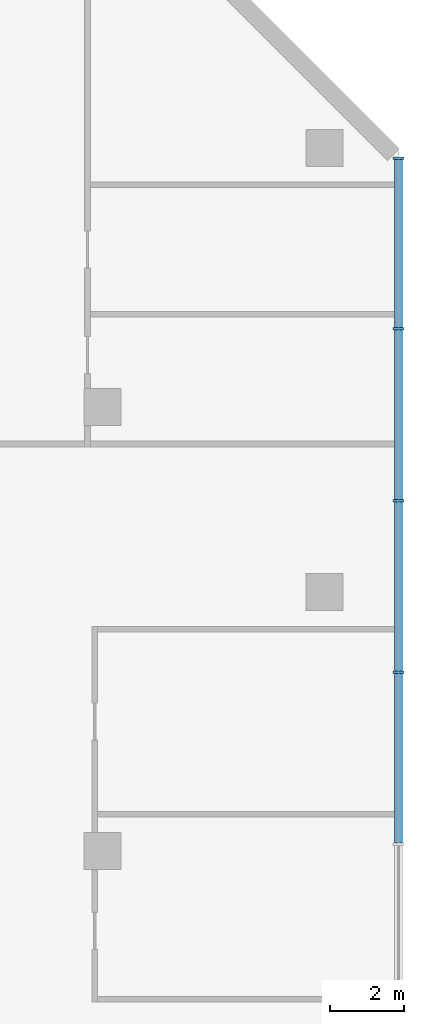
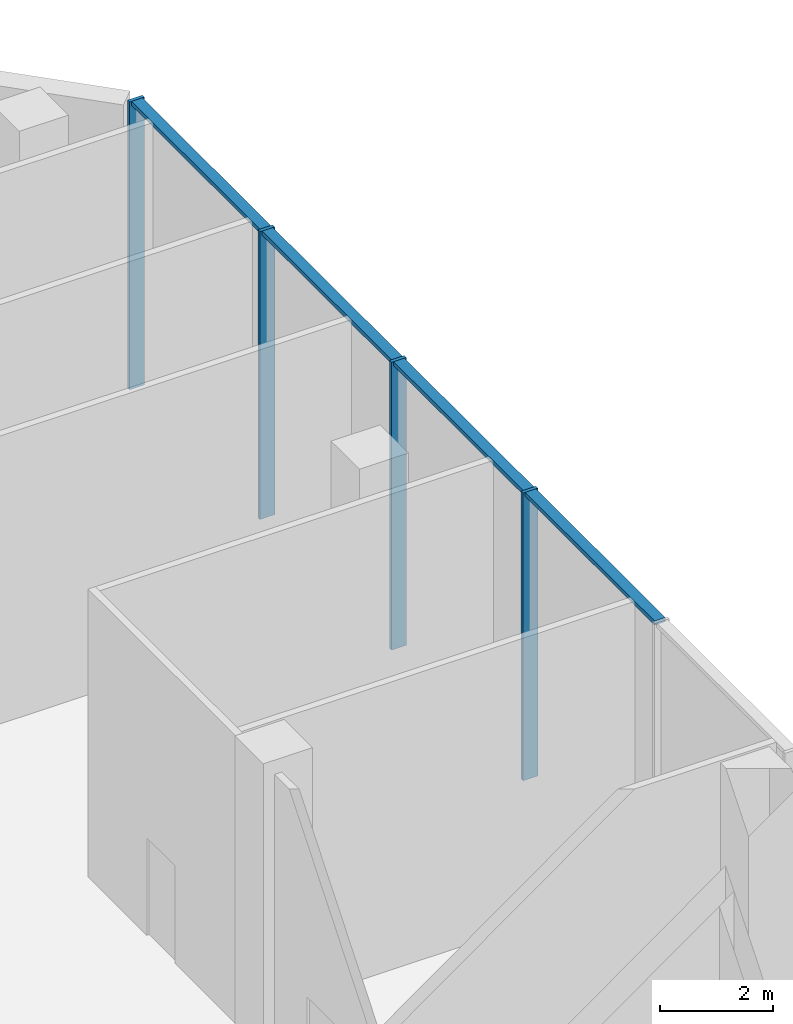
# One storey, part 7 of 30: 8 members, 1 element without a shape of its own.
"""IFC4 building model written with IfcOpenShell, lengths in metres."""

from ifc_helpers import new_model, si_unit, direction, frame, origin, origin_2d, place, context, subcontext, project, spatial, rectangle, extrude, material, material_profile, profile_set, type_object, element, aggregate, save


model = new_model("IFC4")

# Units and contexts
model_context = context("Model", 3, precision=1e-05, world=origin(), true_north=direction((0.0, 1.0)))
body_context = subcontext(model_context, "Body", "Model", "MODEL_VIEW")
ifc_project = project(units=[si_unit("LENGTHUNIT", "METRE"), si_unit("AREAUNIT", "SQUARE_METRE"), si_unit("VOLUMEUNIT", "CUBIC_METRE"), si_unit("PLANEANGLEUNIT", "RADIAN"), si_unit("MASSUNIT", "GRAM", prefix="KILO")], contexts=[model_context])

# Site, building, storey
site_placement = place(None, origin())
site = spatial("IfcSite", under=ifc_project, at=site_placement, CompositionType="ELEMENT")
building_placement = place(site_placement, origin())
building = spatial("IfcBuilding", under=site, at=building_placement, Name="Wharfspan Tower", CompositionType="ELEMENT")
storey_placement = place(building_placement, frame((0.0, 0.0, 15.0)))
storey = spatial("IfcBuildingStorey", under=building, at=storey_placement, Name="L02", CompositionType="ELEMENT", Elevation=15.0)

# Curtain wall, members
ifc_material = material(Name="Aluminium 6063-T6", Category="aluminium")
curtain_wall_type = type_object("IfcCurtainWallType", Name="CURTAIN WALL ARENA STICK WALL", PredefinedType="NOTDEFINED", material=ifc_material)
curtain_wall_placement = place(storey_placement, origin())
curtain_wall = element("IfcCurtainWall", 1, at=curtain_wall_placement, inside=storey, type_object=curtain_wall_type, Name="Concourse stick wall PF3.3", PredefinedType="NOTDEFINED")
ifc_material_profile_1 = material_profile(ifc_material, rectangle(XDim=0.300049, YDim=0.070068, at=origin_2d()))
ifc_profile_set_1 = profile_set([ifc_material_profile_1], Name="Aluminium 6063-T6")
member_type_1 = type_object("IfcMemberType", Name="MULLION ARENA STICK WALL 70x300", PredefinedType="MULLION", material=ifc_profile_set_1)
member_1_placement = place(storey_placement, frame((108.0, 35.830078, 0.0), z_axis=(0.0, 0.0, 1.0), x_axis=(-1.0, 0.0, 0.0)))
member_1 = element("IfcMember", 2, at=member_1_placement, type_object=member_type_1, Name="Concourse stick wall PF3.3 mullion 3", PredefinedType="MULLION", context=body_context, shape_type="SweptSolid", body=[
    extrude(rectangle(XDim=0.300049, YDim=0.070068, at=origin_2d()), origin(), (0.0, 0.0, 1.0), 6.199951),
])
member_2_placement = place(storey_placement, frame((108.0, 40.469971, 0.0), z_axis=(0.0, 0.0, 1.0), x_axis=(-1.0, 0.0, 0.0)))
member_2 = element("IfcMember", 3, at=member_2_placement, type_object=member_type_1, Name="Concourse stick wall PF3.3 mullion 4", PredefinedType="MULLION", context=body_context, shape_type="SweptSolid", body=[
    extrude(rectangle(XDim=0.300049, YDim=0.070068, at=origin_2d()), origin(), (0.0, 0.0, 1.0), 6.199951),
])
member_3_placement = place(storey_placement, frame((108.0, 45.110107, 0.0), z_axis=(0.0, 0.0, 1.0), x_axis=(-1.0, 0.0, 0.0)))
member_3 = element("IfcMember", 4, at=member_3_placement, type_object=member_type_1, Name="Concourse stick wall PF3.3 mullion 5", PredefinedType="MULLION", context=body_context, shape_type="SweptSolid", body=[
    extrude(rectangle(XDim=0.300049, YDim=0.070068, at=origin_2d()), origin(), (0.0, 0.0, 1.0), 6.199951),
])
member_4_placement = place(storey_placement, frame((108.0, 49.715088, 0.0), z_axis=(0.0, 0.0, 1.0), x_axis=(-1.0, 0.0, 0.0)))
member_4 = element("IfcMember", 5, at=member_4_placement, type_object=member_type_1, Name="Concourse stick wall PF3.3 mullion 6", PredefinedType="MULLION", context=body_context, shape_type="SweptSolid", body=[
    extrude(rectangle(XDim=0.300049, YDim=0.070068, at=origin_2d()), origin(), (0.0, 0.0, 1.0), 6.199951),
])
ifc_material_profile_2 = material_profile(ifc_material, rectangle(XDim=0.219971, YDim=0.090088, at=origin_2d()))
ifc_profile_set_2 = profile_set([ifc_material_profile_2], Name="Aluminium 6063-T6")
member_type_2 = type_object("IfcMemberType", Name="TRANSOM ARENA STICK WALL 90x220", PredefinedType="USERDEFINED", material=ifc_profile_set_2)
member_5_placement = place(storey_placement, frame((108.0, 31.225098, 6.155029), z_axis=(0.0, 1.0, 0.0), x_axis=(-1.0, 0.0, 0.0)))
member_5 = element("IfcMember", 6, at=member_5_placement, type_object=member_type_2, Name="Concourse stick wall PF3.3 transom 2", ObjectType="TRANSOM", PredefinedType="USERDEFINED", context=body_context, shape_type="SweptSolid", body=[
    extrude(rectangle(XDim=0.219971, YDim=0.090088, at=origin_2d()), origin(), (0.0, 0.0, 1.0), 4.569824),
])
member_6_placement = place(storey_placement, frame((108.0, 35.86499, 6.155029), z_axis=(0.0, 1.0, 0.0), x_axis=(-1.0, 0.0, 0.0)))
member_6 = element("IfcMember", 7, at=member_6_placement, type_object=member_type_2, Name="Concourse stick wall PF3.3 transom 3", ObjectType="TRANSOM", PredefinedType="USERDEFINED", context=body_context, shape_type="SweptSolid", body=[
    extrude(rectangle(XDim=0.219971, YDim=0.090088, at=origin_2d()), origin(), (0.0, 0.0, 1.0), 4.570068),
])
member_7_placement = place(storey_placement, frame((108.0, 40.504883, 6.155029), z_axis=(0.0, 1.0, 0.0), x_axis=(-1.0, 0.0, 0.0)))
member_7 = element("IfcMember", 8, at=member_7_placement, type_object=member_type_2, Name="Concourse stick wall PF3.3 transom 4", ObjectType="TRANSOM", PredefinedType="USERDEFINED", context=body_context, shape_type="SweptSolid", body=[
    extrude(rectangle(XDim=0.219971, YDim=0.090088, at=origin_2d()), origin(), (0.0, 0.0, 1.0), 4.570068),
])
member_8_placement = place(storey_placement, frame((108.0, 45.14502, 6.155029), z_axis=(0.0, 1.0, 0.0), x_axis=(-1.0, 0.0, 0.0)))
member_8 = element("IfcMember", 9, at=member_8_placement, type_object=member_type_2, Name="Concourse stick wall PF3.3 transom 5", ObjectType="TRANSOM", PredefinedType="USERDEFINED", context=body_context, shape_type="SweptSolid", body=[
    extrude(rectangle(XDim=0.219971, YDim=0.090088, at=origin_2d()), origin(), (0.0, 0.0, 1.0), 4.534912),
])
aggregate(curtain_wall, [member_1, member_2, member_3, member_4, member_5, member_6, member_7, member_8])

save(model, "model.ifc")
